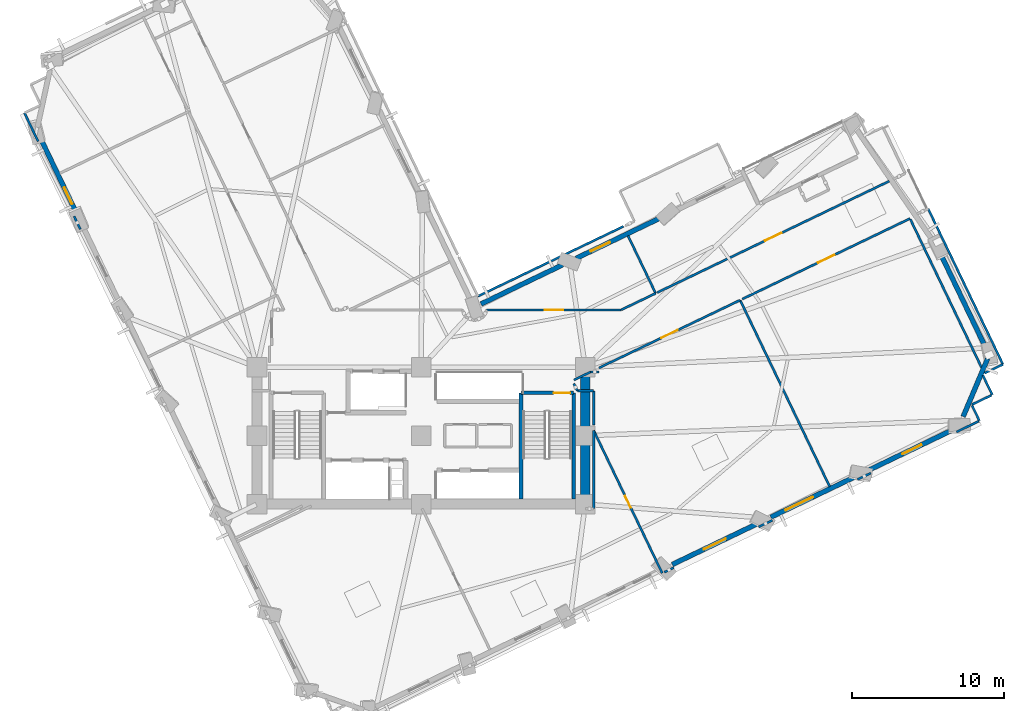
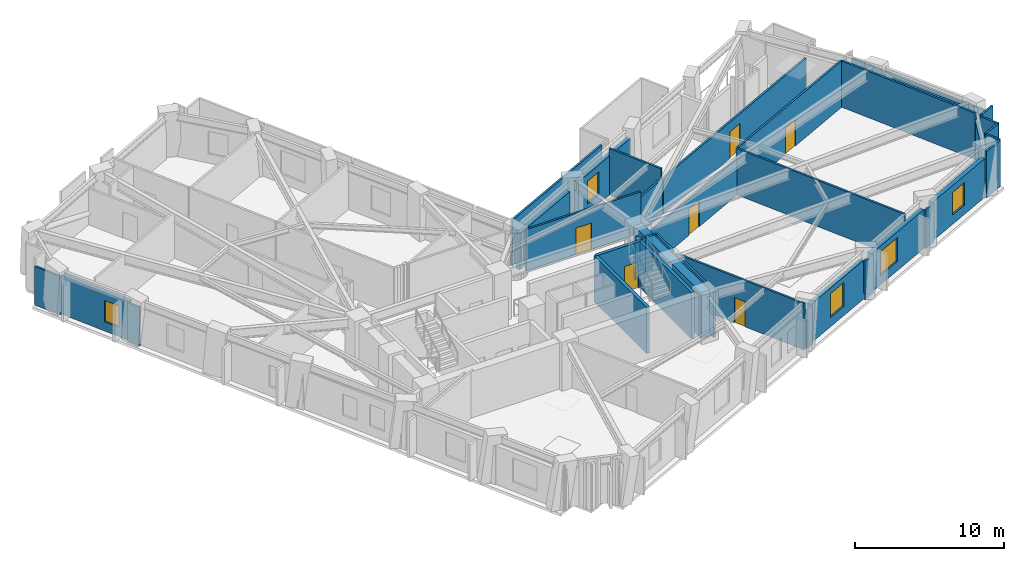
# One storey, part 9 of 16: 39 walls, 6 doors, 5 windows, 11 openings.
"""IFC4 building model written with IfcOpenShell, lengths in metres."""

from ifc_helpers import new_model, si_unit, direction, frame, frame_2d, origin, place, context, subcontext, project, spatial, rectangle, extrude, material, layer, layer_set, type_object, element, fill, save


model = new_model("IFC4")

# Units and contexts
model_context = context("Model", 3, precision=1e-05, world=origin(), true_north=direction((0.0, 1.0)))
body_context = subcontext(model_context, "Body", "Model", "MODEL_VIEW")
ifc_project = project(units=[si_unit("LENGTHUNIT", "METRE"), si_unit("AREAUNIT", "SQUARE_METRE"), si_unit("VOLUMEUNIT", "CUBIC_METRE"), si_unit("PLANEANGLEUNIT", "RADIAN"), si_unit("MASSUNIT", "GRAM", prefix="KILO")], contexts=[model_context])

# Site, building, storey
site_placement = place(None, origin())
site = spatial("IfcSite", under=ifc_project, at=site_placement, CompositionType="ELEMENT")
building_placement = place(site_placement, origin())
building = spatial("IfcBuilding", under=site, at=building_placement, Name="Gaonmaruhae Medical Tower", CompositionType="ELEMENT")
storey_placement = place(building_placement, frame((0.0, 0.0, 132.39990234375)))
storey = spatial("IfcBuildingStorey", under=building, at=storey_placement, Name="L31", CompositionType="ELEMENT", Elevation=132.39990234375)

# Wall
ifc_material_1 = material(Name="Concrete C60/75", Category="concrete")
ifc_layer_1 = layer(ifc_material_1, 0.64990234375)
ifc_layer_set_1 = layer_set([ifc_layer_1], Name="Concrete C60/75")
wall_type_1 = type_object("IfcWallType", Name="CW-650 Zone 2 Core Shear Wall", PredefinedType="SHEAR", material=ifc_layer_set_1)
wall_1_placement = place(storey_placement, frame((35.60009765625, 7.800048828125, 0.0), z_axis=(0.0, 0.0, 1.0), x_axis=(0.0, 1.0, 0.0)))
element("IfcWall", 1, at=wall_1_placement, inside=storey, type_object=wall_type_1, Name="L31 Core Shear Wall CSW-E1", PredefinedType="SHEAR", context=body_context, shape_type="SweptSolid", body=[
    extrude(rectangle(XDim=9.0, YDim=0.64990234375, at=frame_2d((4.5, 0.0))), origin(), (0.0, 0.0, 1.0), 3.780029296875),
])

# Wall, opening, window
ifc_material_2 = material(Name="Precast concrete C45/55", Category="concrete")
ifc_layer_2 = layer(ifc_material_2, 0.320068359375)
ifc_layer_set_2 = layer_set([ifc_layer_2], Name="Precast concrete C45/55")
wall_type_2 = type_object("IfcWallType", Name="EW-320 Lower Precast Masonry-Frame Facade Wall", PredefinedType="SOLIDWALL", material=ifc_layer_set_2)
wall_2_placement = place(storey_placement, frame((46.917724609375, 6.5126953125, 0.0), z_axis=(0.0, 0.0, 1.0), x_axis=(-0.901461687347, -0.432858898771, 0.0)))
wall_2 = element("IfcWall", 2, at=wall_2_placement, inside=storey, type_object=wall_type_2, Name="L31 Precast Masonry-Frame Wall S04-S05", PredefinedType="SOLIDWALL", context=body_context, shape_type="SweptSolid", body=[
    extrude(rectangle(XDim=6.208740234375, YDim=0.320068359375, at=frame_2d((3.1044921875, 0.0))), origin(), (0.0, 0.0, 1.0), 3.1650390625),
])
opening_1_placement = place(wall_2_placement, frame((2.3046875, 0.0, 0.75)))
opening_1 = element("IfcOpeningElement", 3, at=opening_1_placement, cuts=wall_2, Name="Opening WN-01", PredefinedType="OPENING", context=body_context, shape_type="SweptSolid", body=[
    extrude(rectangle(XDim=1.60009765625, YDim=1.949951171875, at=frame_2d((0.800048828125, 0.97509765625))), frame((0.0, 0.169921875, 0.0), z_axis=(0.0, -1.0, 0.0), x_axis=(1.0, 0.0, 0.0)), (0.0, 0.0, 1.0), 0.340087890625),
])
ifc_material_3 = material(Name="Anodised aluminium and Low-E double glazing", Category="aluminium")
window_type_1 = type_object("IfcWindowType", Name="WN-01 Ward Punched Acoustic Window 1600x1950", PartitioningType="SINGLE_PANEL", PredefinedType="WINDOW", material=ifc_material_3)
window_1_placement = place(opening_1_placement, origin())
window_1 = element("IfcWindow", 4, at=window_1_placement, inside=storey, type_object=window_type_1, Name="L31 Modular Facade Window S04", OverallHeight=1.949951171875, OverallWidth=1.60009765625, PartitioningType="SINGLE_PANEL", PredefinedType="WINDOW", context=body_context, shape_type="SweptSolid", body=[
    extrude(rectangle(XDim=1.60009765625, YDim=1.949951171875, at=frame_2d((0.800048828125, 0.97509765625))), frame((0.0, 0.030029296875, 0.0), z_axis=(0.0, -1.0, 0.0), x_axis=(1.0, 0.0, 0.0)), (0.0, 0.0, 1.0), 0.06005859375),
])
fill(opening_1, window_1)

wall_3_placement = place(storey_placement, frame((53.415283203125, 9.6328125, 0.0), z_axis=(0.0, 0.0, 1.0), x_axis=(-0.901458716823, -0.43286508506, 0.0)))
wall_3 = element("IfcWall", 5, at=wall_3_placement, inside=storey, type_object=wall_type_2, Name="L31 Precast Masonry-Frame Wall S05-S06", PredefinedType="SOLIDWALL", context=body_context, shape_type="SweptSolid", body=[
    extrude(rectangle(XDim=6.21826171875, YDim=0.320068359375, at=frame_2d((3.109130859375, 0.0))), origin(), (0.0, 0.0, 1.0), 3.1650390625),
])
opening_2_placement = place(wall_3_placement, frame((3.142333984375, 0.0, 0.75)))
opening_2 = element("IfcOpeningElement", 6, at=opening_2_placement, cuts=wall_3, Name="Opening WN-02", PredefinedType="OPENING", context=body_context, shape_type="SweptSolid", body=[
    extrude(rectangle(XDim=2.0, YDim=1.949951171875, at=frame_2d((1.0, 0.97509765625))), frame((0.0, 0.169921875, 0.0), z_axis=(0.0, -1.0, 0.0), x_axis=(1.0, 0.0, 0.0)), (0.0, 0.0, 1.0), 0.340087890625),
])
window_type_2 = type_object("IfcWindowType", Name="WN-02 Double-Bed Ward Punched Window 2000x1950", PartitioningType="SINGLE_PANEL", PredefinedType="WINDOW", material=ifc_material_3)
window_2_placement = place(opening_2_placement, origin())
window_2 = element("IfcWindow", 7, at=window_2_placement, inside=storey, type_object=window_type_2, Name="L31 Modular Facade Window S05", OverallHeight=1.949951171875, OverallWidth=2.0, PartitioningType="SINGLE_PANEL", PredefinedType="WINDOW", context=body_context, shape_type="SweptSolid", body=[
    extrude(rectangle(XDim=2.0, YDim=1.949951171875, at=frame_2d((1.0, 0.97509765625))), frame((0.0, 0.030029296875, 0.0), z_axis=(0.0, -1.0, 0.0), x_axis=(1.0, 0.0, 0.0)), (0.0, 0.0, 1.0), 0.06005859375),
])
fill(opening_2, window_2)

wall_4_placement = place(storey_placement, frame((59.919677734375, 12.756103515625, 0.0), z_axis=(0.0, 0.0, 1.0), x_axis=(-0.901454692094, -0.432873466619, 0.0)))
wall_4 = element("IfcWall", 8, at=wall_4_placement, inside=storey, type_object=wall_type_2, Name="L31 Precast Masonry-Frame Wall S06-S07", PredefinedType="SOLIDWALL", context=body_context, shape_type="SweptSolid", body=[
    extrude(rectangle(XDim=6.242431640625, YDim=0.320068359375, at=frame_2d((3.12109375, 0.0))), origin(), (0.0, 0.0, 1.0), 3.1650390625),
])
opening_3_placement = place(wall_4_placement, frame((2.425048828125, 0.0, 0.75)))
opening_3 = element("IfcOpeningElement", 9, at=opening_3_placement, cuts=wall_4, Name="Opening WN-03", PredefinedType="OPENING", context=body_context, shape_type="SweptSolid", body=[
    extrude(rectangle(XDim=1.39990234375, YDim=1.85009765625, at=frame_2d((0.699951171875, 0.925048828125))), frame((0.0, 0.169921875, 0.0), z_axis=(0.0, -1.0, 0.0), x_axis=(1.0, 0.0, 0.0)), (0.0, 0.0, 1.0), 0.340087890625),
])
window_type_3 = type_object("IfcWindowType", Name="WN-03 Isolation Ward Punched Window 1400x1850", PartitioningType="SINGLE_PANEL", PredefinedType="WINDOW", material=ifc_material_3)
window_3_placement = place(opening_3_placement, origin())
window_3 = element("IfcWindow", 10, at=window_3_placement, inside=storey, type_object=window_type_3, Name="L31 Modular Facade Window S06", OverallHeight=1.85009765625, OverallWidth=1.39990234375, PartitioningType="SINGLE_PANEL", PredefinedType="WINDOW", context=body_context, shape_type="SweptSolid", body=[
    extrude(rectangle(XDim=1.39990234375, YDim=1.85009765625, at=frame_2d((0.699951171875, 0.925048828125))), frame((0.0, 0.030029296875, 0.0), z_axis=(0.0, -1.0, 0.0), x_axis=(1.0, 0.0, 0.0)), (0.0, 0.0, 1.0), 0.06005859375),
])
fill(opening_3, window_3)

# Walls
wall_5_placement = place(storey_placement, frame((62.078857421875, 17.378662109375, 0.0), z_axis=(0.0, 0.0, 1.0), x_axis=(-0.38914420919, -0.921176847545, 0.0)))
element("IfcWall", 11, at=wall_5_placement, inside=storey, type_object=wall_type_2, Name="L31 Precast Masonry-Frame Wall S07-E01", PredefinedType="SOLIDWALL", context=body_context, shape_type="SweptSolid", body=[
    extrude(rectangle(XDim=4.14501953125, YDim=0.320068359375, at=frame_2d((2.072509765625, 0.0))), origin(), (0.0, 0.0, 1.0), 3.1650390625),
])
wall_6_placement = place(storey_placement, frame((58.930908203125, 24.37353515625, 0.0), z_axis=(0.0, 0.0, 1.0), x_axis=(0.432850582389, -0.901465680614, 0.0)))
element("IfcWall", 12, at=wall_6_placement, inside=storey, type_object=wall_type_2, Name="L31 Precast Masonry-Frame Wall E01-E02", PredefinedType="SOLIDWALL", context=body_context, shape_type="SweptSolid", body=[
    extrude(rectangle(XDim=6.840087890625, YDim=0.320068359375, at=frame_2d((3.419921875, 0.0))), origin(), (0.0, 0.0, 1.0), 3.1650390625),
])

# Wall, opening, window
wall_7_placement = place(storey_placement, frame((35.002197265625, 23.975830078125, 0.0), z_axis=(0.0, 0.0, 1.0), x_axis=(0.901466619475, 0.432848627089, 0.0)))
wall_7 = element("IfcWall", 13, at=wall_7_placement, inside=storey, type_object=wall_type_2, Name="L31 Precast Masonry-Frame Wall EN02-EN03", PredefinedType="SOLIDWALL", context=body_context, shape_type="SweptSolid", body=[
    extrude(rectangle(XDim=6.211181640625, YDim=0.320068359375, at=frame_2d((3.10546875, 0.0))), origin(), (0.0, 0.0, 1.0), 3.1650390625),
])
opening_4_placement = place(wall_7_placement, frame((1.053466796875, 0.0, 0.75)))
opening_4 = element("IfcOpeningElement", 14, at=opening_4_placement, cuts=wall_7, Name="Opening WN-03", PredefinedType="OPENING", context=body_context, shape_type="SweptSolid", body=[
    extrude(rectangle(XDim=1.39990234375, YDim=1.85009765625, at=frame_2d((0.699951171875, 0.925048828125))), frame((0.0, 0.169921875, 0.0), z_axis=(0.0, -1.0, 0.0), x_axis=(1.0, 0.0, 0.0)), (0.0, 0.0, 1.0), 0.340087890625),
])
window_4_placement = place(opening_4_placement, origin())
window_4 = element("IfcWindow", 15, at=window_4_placement, inside=storey, type_object=window_type_3, Name="L31 Modular Facade Window EN02", OverallHeight=1.85009765625, OverallWidth=1.39990234375, PartitioningType="SINGLE_PANEL", PredefinedType="WINDOW", context=body_context, shape_type="SweptSolid", body=[
    extrude(rectangle(XDim=1.39990234375, YDim=1.85009765625, at=frame_2d((0.699951171875, 0.925048828125))), frame((0.0, 0.030029296875, 0.0), z_axis=(0.0, -1.0, 0.0), x_axis=(1.0, 0.0, 0.0)), (0.0, 0.0, 1.0), 0.06005859375),
])
fill(opening_4, window_4)

# Wall
wall_8_placement = place(storey_placement, frame((28.735107421875, 20.96630859375, 0.0), z_axis=(0.0, 0.0, 1.0), x_axis=(0.901457206076, 0.432868231237, 0.0)))
element("IfcWall", 16, at=wall_8_placement, inside=storey, type_object=wall_type_2, Name="L31 Precast Masonry-Frame Wall EN03-KN01", PredefinedType="SOLIDWALL", context=body_context, shape_type="SweptSolid", body=[
    extrude(rectangle(XDim=5.9599609375, YDim=0.320068359375, at=frame_2d((2.97998046875, 0.0))), origin(), (0.0, 0.0, 1.0), 2.965087890625),
])

# Wall, opening, window
wall_9_placement = place(storey_placement, frame((2.16650390625, 26.8466796875, 0.0), z_axis=(0.0, 0.0, 1.0), x_axis=(-0.432891082479, 0.901446232845, 0.0)))
wall_9 = element("IfcWall", 17, at=wall_9_placement, inside=storey, type_object=wall_type_2, Name="L31 Precast Masonry-Frame Wall W01-W02", PredefinedType="SOLIDWALL", context=body_context, shape_type="SweptSolid", body=[
    extrude(rectangle(XDim=5.455810546875, YDim=0.320068359375, at=frame_2d((2.72802734375, 0.0))), origin(), (0.0, 0.0, 1.0), 3.1650390625),
])
opening_5_placement = place(wall_9_placement, frame((0.77294921875, 0.0, 0.75)))
opening_5 = element("IfcOpeningElement", 18, at=opening_5_placement, cuts=wall_9, Name="Opening WN-05", PredefinedType="OPENING", context=body_context, shape_type="SweptSolid", body=[
    extrude(rectangle(XDim=1.199951171875, YDim=1.75, at=frame_2d((0.60009765625, 0.875))), frame((0.0, 0.169921875, 0.0), z_axis=(0.0, -1.0, 0.0), x_axis=(1.0, 0.0, 0.0)), (0.0, 0.0, 1.0), 0.340087890625),
])
window_type_4 = type_object("IfcWindowType", Name="WN-05 Support & Staff Punched Window 1200x1750", PartitioningType="SINGLE_PANEL", PredefinedType="WINDOW", material=ifc_material_3)
window_5_placement = place(opening_5_placement, origin())
window_5 = element("IfcWindow", 19, at=window_5_placement, inside=storey, type_object=window_type_4, Name="L31 Modular Facade Window W01", OverallHeight=1.75, OverallWidth=1.199951171875, PartitioningType="SINGLE_PANEL", PredefinedType="WINDOW", context=body_context, shape_type="SweptSolid", body=[
    extrude(rectangle(XDim=1.199951171875, YDim=1.75, at=frame_2d((0.60009765625, 0.875))), frame((0.0, 0.030029296875, 0.0), z_axis=(0.0, -1.0, 0.0), x_axis=(1.0, 0.0, 0.0)), (0.0, 0.0, 1.0), 0.06005859375),
])
fill(opening_5, window_5)

# Wall, opening, door
ifc_material_4 = material(Name="Gypsum board partition", Category="gypsum")
ifc_layer_3 = layer(ifc_material_4, 0.14990234375)
ifc_layer_set_3 = layer_set([ifc_layer_3], Name="Gypsum board partition")
wall_type_3 = type_object("IfcWallType", Name="PW-150 Rated Clinical Corridor Partition", PredefinedType="PARTITIONING", material=ifc_layer_set_3)
wall_10_placement = place(storey_placement, frame((36.14990234375, 12.652099609375, 0.0), z_axis=(0.0, 0.0, 1.0), x_axis=(0.432890931343, -0.901446305423, 0.0)))
wall_10 = element("IfcWall", 20, at=wall_10_placement, inside=storey, type_object=wall_type_3, Name="L31 Interior Partition L31-SUP02-18", PredefinedType="PARTITIONING", context=body_context, shape_type="SweptSolid", body=[
    extrude(rectangle(XDim=10.42578125, YDim=0.14990234375, at=frame_2d((5.212890625, 0.0))), origin(), (0.0, 0.0, 1.0), 3.780029296875),
])
opening_6_placement = place(wall_10_placement, frame((4.78271484375, 0.0, 0.0)))
opening_6 = element("IfcOpeningElement", 21, at=opening_6_placement, cuts=wall_10, Name="Opening AD-01", PredefinedType="OPENING", context=body_context, shape_type="SweptSolid", body=[
    extrude(rectangle(XDim=0.860107421875, YDim=2.06005859375, at=frame_2d((0.43017578125, 1.030029296875))), frame((0.0, 0.0849609375, 0.0), z_axis=(0.0, -1.0, 0.0), x_axis=(1.0, 0.0, 0.0)), (0.0, 0.0, 1.0), 0.169921875),
])
ifc_material_5 = material(Name="Powder-coated steel access door", Category="steel")
door_type_1 = type_object("IfcDoorType", Name="AD-01 Riser & Closet Access Fire Door 860x2060", OperationType="NOTDEFINED", PredefinedType="DOOR", material=ifc_material_5)
door_1_placement = place(opening_6_placement, origin())
door_1 = element("IfcDoor", 22, at=door_1_placement, inside=storey, type_object=door_type_1, Name="L31 Clinical Biomedical Charting Office Sliding Door", OperationType="SLIDING_TO_LEFT", OverallHeight=2.06005859375, OverallWidth=0.860107421875, PredefinedType="DOOR", context=body_context, shape_type="SweptSolid", body=[
    extrude(rectangle(XDim=0.860107421875, YDim=2.06005859375, at=frame_2d((0.43017578125, 1.030029296875))), frame((0.0, 0.02490234375, 0.0), z_axis=(0.0, -1.0, 0.0), x_axis=(1.0, 0.0, 0.0)), (0.0, 0.0, 1.0), 0.050048828125),
])
fill(opening_6, door_1)

# Walls
wall_11_placement = place(storey_placement, frame((36.14990234375, 7.5, 0.0), z_axis=(0.0, 0.0, 1.0), x_axis=(0.0, 1.0, 0.0)))
element("IfcWall", 23, at=wall_11_placement, inside=storey, type_object=wall_type_3, Name="L31 Interior Partition L31-SUP02-21", PredefinedType="PARTITIONING", context=body_context, shape_type="SweptSolid", body=[
    extrude(rectangle(XDim=5.152099609375, YDim=0.14990234375, at=frame_2d((2.576171875, 0.0))), origin(), (0.0, 0.0, 1.0), 3.780029296875),
])
wall_12_placement = place(storey_placement, frame((35.074951171875, 15.260009765625, 0.0), z_axis=(0.0, 0.0, 1.0), x_axis=(-0.433052046358, 0.901368917339, 0.0)))
element("IfcWall", 24, at=wall_12_placement, inside=storey, type_object=wall_type_3, Name="L31 Interior Partition L31-SUP03-22", PredefinedType="PARTITIONING", context=body_context, shape_type="SweptSolid", body=[
    extrude(rectangle(XDim=0.519287109375, YDim=0.14990234375, at=frame_2d((0.259765625, 0.0))), origin(), (0.0, 0.0, 1.0), 3.780029296875),
])
wall_13_placement = place(storey_placement, frame((34.85009765625, 15.970947265625, 0.0), z_axis=(0.0, 0.0, 1.0), x_axis=(0.901463825879, 0.432854445087, 0.0)))
element("IfcWall", 25, at=wall_13_placement, inside=storey, type_object=wall_type_3, Name="L31 Interior Partition L31-SUP03-23", PredefinedType="PARTITIONING", context=body_context, shape_type="SweptSolid", body=[
    extrude(rectangle(XDim=1.22216796875, YDim=0.14990234375, at=frame_2d((0.611083984375, 0.0))), origin(), (0.0, 0.0, 1.0), 2.945068359375),
])
wall_14_placement = place(storey_placement, frame((35.951904296875, 16.5, 0.0), z_axis=(0.0, 0.0, 1.0), x_axis=(1.0, 0.0, 0.0)))
element("IfcWall", 26, at=wall_14_placement, inside=storey, type_object=wall_type_3, Name="L31 Interior Partition L31-SUP03-24", PredefinedType="PARTITIONING", context=body_context, shape_type="SweptSolid", body=[
    extrude(rectangle(XDim=0.548095703125, YDim=0.14990234375, at=frame_2d((0.27392578125, 0.0))), origin(), (0.0, 0.0, 1.0), 2.965087890625),
])

# Wall, opening, door
wall_15_placement = place(storey_placement, frame((36.5, 16.762939453125, 0.0), z_axis=(0.0, 0.0, 1.0), x_axis=(0.901430980475, 0.432922842363, 0.0)))
wall_15 = element("IfcWall", 27, at=wall_15_placement, inside=storey, type_object=wall_type_3, Name="L31 Interior Partition L31-SUP03-25", PredefinedType="PARTITIONING", context=body_context, shape_type="SweptSolid", body=[
    extrude(rectangle(XDim=10.3046875, YDim=0.14990234375, at=frame_2d((5.15234375, 0.0))), origin(), (0.0, 0.0, 1.0), 2.965087890625),
])
opening_7_placement = place(wall_15_placement, frame((4.55224609375, 0.0, 0.0)))
opening_7 = element("IfcOpeningElement", 28, at=opening_7_placement, cuts=wall_15, Name="Opening CD-02", PredefinedType="OPENING", context=body_context, shape_type="SweptSolid", body=[
    extrude(rectangle(XDim=1.199951171875, YDim=2.14990234375, at=frame_2d((0.60009765625, 1.074951171875))), frame((0.0, 0.0849609375, 0.0), z_axis=(0.0, -1.0, 0.0), x_axis=(1.0, 0.0, 0.0)), (0.0, 0.0, 1.0), 0.169921875),
])
ifc_material_6 = material(Name="Antimicrobial laminate timber fire door", Category="wood")
door_type_2 = type_object("IfcDoorType", Name="CD-02 Clinical Treatment & Procedure Door 1200x2150", OperationType="NOTDEFINED", PredefinedType="DOOR", material=ifc_material_6)
door_2_placement = place(opening_7_placement, origin())
door_2 = element("IfcDoor", 29, at=door_2_placement, inside=storey, type_object=door_type_2, Name="L31 Clinical Biomedical Charting Office Door", OperationType="SINGLE_SWING_RIGHT", OverallHeight=2.14990234375, OverallWidth=1.199951171875, PredefinedType="DOOR", context=body_context, shape_type="SweptSolid", body=[
    extrude(rectangle(XDim=1.199951171875, YDim=2.14990234375, at=frame_2d((0.60009765625, 1.074951171875))), frame((0.0, 0.02490234375, 0.0), z_axis=(0.0, -1.0, 0.0), x_axis=(1.0, 0.0, 0.0)), (0.0, 0.0, 1.0), 0.050048828125),
])
fill(opening_7, door_2)

# Walls
wall_16_placement = place(storey_placement, frame((45.7890625, 21.22412109375, 0.0), z_axis=(0.0, 0.0, 1.0), x_axis=(0.43290477925, -0.901439655275, 0.0)))
element("IfcWall", 30, at=wall_16_placement, inside=storey, type_object=wall_type_3, Name="L31 Interior Partition L31-SUP03-26", PredefinedType="PARTITIONING", context=body_context, shape_type="SweptSolid", body=[
    extrude(rectangle(XDim=13.614990234375, YDim=0.14990234375, at=frame_2d((6.8076171875, 0.0))), origin(), (0.0, 0.0, 1.0), 3.780029296875),
])
wall_17_placement = place(storey_placement, frame((47.908935546875, 6.73388671875, 0.0), z_axis=(0.0, 0.0, 1.0), x_axis=(-0.901180159513, -0.433444714006, 0.0)))
element("IfcWall", 31, at=wall_17_placement, inside=storey, type_object=wall_type_3, Name="L31 Interior Partition L31-SUP03-27", PredefinedType="PARTITIONING", context=body_context, shape_type="SweptSolid", body=[
    extrude(rectangle(XDim=0.98974609375, YDim=0.14990234375, at=frame_2d((0.494873046875, 0.0))), origin(), (0.0, 0.0, 1.0), 3.1650390625),
])
wall_18_placement = place(storey_placement, frame((41.419921875, 3.617919921875, 0.0), z_axis=(0.0, 0.0, 1.0), x_axis=(-0.901141896679, -0.433524257741, 0.0)))
element("IfcWall", 32, at=wall_18_placement, inside=storey, type_object=wall_type_3, Name="L31 Interior Partition L31-SUP03-28", PredefinedType="PARTITIONING", context=body_context, shape_type="SweptSolid", body=[
    extrude(rectangle(XDim=0.68017578125, YDim=0.14990234375, at=frame_2d((0.340087890625, 0.0))), origin(), (0.0, 0.0, 1.0), 3.1650390625),
])
wall_19_placement = place(storey_placement, frame((36.14990234375, 13.02099609375, 0.0), z_axis=(0.0, 0.0, 1.0), x_axis=(0.0, 1.0, 0.0)))
element("IfcWall", 33, at=wall_19_placement, inside=storey, type_object=wall_type_3, Name="L31 Interior Partition L31-SUP03-29", PredefinedType="PARTITIONING", context=body_context, shape_type="SweptSolid", body=[
    extrude(rectangle(XDim=2.239013671875, YDim=0.14990234375, at=frame_2d((1.11962890625, 0.0))), origin(), (0.0, 0.0, 1.0), 3.780029296875),
])
wall_20_placement = place(storey_placement, frame((36.14990234375, 15.260009765625, 0.0), z_axis=(0.0, 0.0, 1.0), x_axis=(-1.0, 0.0, 0.0)))
element("IfcWall", 34, at=wall_20_placement, inside=storey, type_object=wall_type_3, Name="L31 Interior Partition L31-SUP03-30", PredefinedType="PARTITIONING", context=body_context, shape_type="SweptSolid", body=[
    extrude(rectangle(XDim=1.074951171875, YDim=0.14990234375, at=frame_2d((0.53759765625, 0.0))), origin(), (0.0, 0.0, 1.0), 3.780029296875),
])

# Wall, opening, door
wall_21_placement = place(storey_placement, frame((45.93310546875, 21.29296875, 0.0), z_axis=(0.0, 0.0, 1.0), x_axis=(0.901434334473, 0.432915858607, 0.0)))
wall_21 = element("IfcWall", 35, at=wall_21_placement, inside=storey, type_object=wall_type_3, Name="L31 Interior Partition L31-SUP04-31", PredefinedType="PARTITIONING", context=body_context, shape_type="SweptSolid", body=[
    extrude(rectangle(XDim=12.240478515625, YDim=0.14990234375, at=frame_2d((6.1201171875, 0.0))), origin(), (0.0, 0.0, 1.0), 3.780029296875),
])
opening_8_placement = place(wall_21_placement, frame((5.520263671875, 0.0, 0.0)))
opening_8 = element("IfcOpeningElement", 36, at=opening_8_placement, cuts=wall_21, Name="Opening CD-02", PredefinedType="OPENING", context=body_context, shape_type="SweptSolid", body=[
    extrude(rectangle(XDim=1.199951171875, YDim=2.14990234375, at=frame_2d((0.60009765625, 1.074951171875))), frame((0.0, 0.0849609375, 0.0), z_axis=(0.0, -1.0, 0.0), x_axis=(1.0, 0.0, 0.0)), (0.0, 0.0, 1.0), 0.169921875),
])
door_3_placement = place(opening_8_placement, origin())
door_3 = element("IfcDoor", 37, at=door_3_placement, inside=storey, type_object=door_type_2, Name="L31 Clinical Biomedical Charting Office Door", OperationType="SINGLE_SWING_LEFT", OverallHeight=2.14990234375, OverallWidth=1.199951171875, PredefinedType="DOOR", context=body_context, shape_type="SweptSolid", body=[
    extrude(rectangle(XDim=1.199951171875, YDim=2.14990234375, at=frame_2d((0.60009765625, 1.074951171875))), frame((0.0, 0.02490234375, 0.0), z_axis=(0.0, -1.0, 0.0), x_axis=(1.0, 0.0, 0.0)), (0.0, 0.0, 1.0), 0.050048828125),
])
fill(opening_8, door_3)

# Walls
wall_22_placement = place(storey_placement, frame((56.989013671875, 26.547119140625, 0.0), z_axis=(0.0, 0.0, 1.0), x_axis=(0.432826288484, -0.901477345249, 0.0)))
element("IfcWall", 38, at=wall_22_placement, inside=storey, type_object=wall_type_3, Name="L31 Interior Partition L31-SUP04-32", PredefinedType="PARTITIONING", context=body_context, shape_type="SweptSolid", body=[
    extrude(rectangle(XDim=10.835693359375, YDim=0.14990234375, at=frame_2d((5.41796875, 0.0))), origin(), (0.0, 0.0, 1.0), 3.780029296875),
])
wall_23_placement = place(storey_placement, frame((61.761962890625, 16.281982421875, 0.0), z_axis=(0.0, 0.0, 1.0), x_axis=(0.433241147815, -0.901278041361, 0.0)))
element("IfcWall", 39, at=wall_23_placement, inside=storey, type_object=wall_type_3, Name="L31 Interior Partition L31-SUP04-33", PredefinedType="PARTITIONING", context=body_context, shape_type="SweptSolid", body=[
    extrude(rectangle(XDim=1.431396484375, YDim=0.14990234375, at=frame_2d((0.7158203125, 0.0))), origin(), (0.0, 0.0, 1.0), 3.780029296875),
])
wall_24_placement = place(storey_placement, frame((62.3369140625, 14.969970703125, 0.0), z_axis=(0.0, 0.0, 1.0), x_axis=(-0.901617655836, -0.432533932409, 0.0)))
element("IfcWall", 40, at=wall_24_placement, inside=storey, type_object=wall_type_3, Name="L31 Interior Partition L31-SUP04-34", PredefinedType="PARTITIONING", context=body_context, shape_type="SweptSolid", body=[
    extrude(rectangle(XDim=1.449462890625, YDim=0.14990234375, at=frame_2d((0.724609375, 0.0))), origin(), (0.0, 0.0, 1.0), 3.780029296875),
])
wall_25_placement = place(storey_placement, frame((61.052001953125, 14.298095703125, 0.0), z_axis=(0.0, 0.0, 1.0), x_axis=(0.431937120404, -0.901903722144, 0.0)))
element("IfcWall", 41, at=wall_25_placement, inside=storey, type_object=wall_type_3, Name="L31 Interior Partition L31-SUP04-35", PredefinedType="PARTITIONING", context=body_context, shape_type="SweptSolid", body=[
    extrude(rectangle(XDim=1.1298828125, YDim=0.14990234375, at=frame_2d((0.56494140625, 0.0))), origin(), (0.0, 0.0, 1.0), 3.780029296875),
])
wall_26_placement = place(storey_placement, frame((61.4951171875, 13.257080078125, 0.0), z_axis=(0.0, 0.0, 1.0), x_axis=(-0.901644033321, -0.4324789442, 0.0)))
element("IfcWall", 42, at=wall_26_placement, inside=storey, type_object=wall_type_3, Name="L31 Interior Partition L31-SUP04-36", PredefinedType="PARTITIONING", context=body_context, shape_type="SweptSolid", body=[
    extrude(rectangle(XDim=1.63720703125, YDim=0.14990234375, at=frame_2d((0.818603515625, 0.0))), origin(), (0.0, 0.0, 1.0), 3.780029296875),
])
wall_27_placement = place(storey_placement, frame((54.39208984375, 9.846923828125, 0.0), z_axis=(0.0, 0.0, 1.0), x_axis=(-0.901585698541, -0.432600541131, 0.0)))
element("IfcWall", 43, at=wall_27_placement, inside=storey, type_object=wall_type_3, Name="L31 Interior Partition L31-SUP04-37", PredefinedType="PARTITIONING", context=body_context, shape_type="SweptSolid", body=[
    extrude(rectangle(XDim=0.972900390625, YDim=0.14990234375, at=frame_2d((0.486328125, 0.0))), origin(), (0.0, 0.0, 1.0), 3.1650390625),
])
wall_28_placement = place(storey_placement, frame((2.375, 25.881103515625, 0.0), z_axis=(0.0, 0.0, 1.0), x_axis=(-0.43302845914, 0.90138024916, 0.0)))
element("IfcWall", 44, at=wall_28_placement, inside=storey, type_object=wall_type_3, Name="L31 Interior Partition L31-WOF06-51", PredefinedType="PARTITIONING", context=body_context, shape_type="SweptSolid", body=[
    extrude(rectangle(XDim=0.960693359375, YDim=0.14990234375, at=frame_2d((0.48046875, 0.0))), origin(), (0.0, 0.0, 1.0), 3.1650390625),
])
wall_29_placement = place(storey_placement, frame((-0.402099609375, 31.6650390625, 0.0), z_axis=(0.0, 0.0, 1.0), x_axis=(-0.432833442947, 0.901473910142, 0.0)))
element("IfcWall", 45, at=wall_29_placement, inside=storey, type_object=wall_type_3, Name="L31 Interior Partition L31-WOF07-56", PredefinedType="PARTITIONING", context=body_context, shape_type="SweptSolid", body=[
    extrude(rectangle(XDim=2.09326171875, YDim=0.14990234375, at=frame_2d((1.046630859375, 0.0))), origin(), (0.0, 0.0, 1.0), 3.1650390625),
])
wall_30_placement = place(storey_placement, frame((28.5380859375, 21.48193359375, 0.0), z_axis=(0.0, 0.0, 1.0), x_axis=(0.901477867435, 0.432825200889, 0.0)))
element("IfcWall", 46, at=wall_30_placement, inside=storey, type_object=wall_type_3, Name="L31 Interior Partition L31-IE01-66", PredefinedType="PARTITIONING", context=body_context, shape_type="SweptSolid", body=[
    extrude(rectangle(XDim=10.62353515625, YDim=0.14990234375, at=frame_2d((5.311767578125, 0.0))), origin(), (0.0, 0.0, 1.0), 3.780029296875),
])
wall_31_placement = place(storey_placement, frame((38.410888671875, 25.462890625, 0.0), z_axis=(0.0, 0.0, 1.0), x_axis=(0.432827326229, -0.901476846996, 0.0)))
element("IfcWall", 47, at=wall_31_placement, inside=storey, type_object=wall_type_3, Name="L31 Interior Partition L31-IE01-67", PredefinedType="PARTITIONING", context=body_context, shape_type="SweptSolid", body=[
    extrude(rectangle(XDim=4.205078125, YDim=0.14990234375, at=frame_2d((2.1025390625, 0.0))), origin(), (0.0, 0.0, 1.0), 3.780029296875),
])
wall_32_placement = place(storey_placement, frame((40.23095703125, 21.672119140625, 0.0), z_axis=(0.0, 0.0, 1.0), x_axis=(-0.901436954351, -0.432910403351, 0.0)))
element("IfcWall", 48, at=wall_32_placement, inside=storey, type_object=wall_type_3, Name="L31 Interior Partition L31-IE01-68", PredefinedType="PARTITIONING", context=body_context, shape_type="SweptSolid", body=[
    extrude(rectangle(XDim=2.5224609375, YDim=0.14990234375, at=frame_2d((1.26123046875, 0.0))), origin(), (0.0, 0.0, 1.0), 2.945068359375),
])

# Wall, opening, door
wall_33_placement = place(storey_placement, frame((37.95703125, 20.580078125, 0.0), z_axis=(0.0, 0.0, 1.0), x_axis=(-1.0, 0.0, 0.0)))
wall_33 = element("IfcWall", 49, at=wall_33_placement, inside=storey, type_object=wall_type_3, Name="L31 Interior Partition L31-IE01-69", PredefinedType="PARTITIONING", context=body_context, shape_type="SweptSolid", body=[
    extrude(rectangle(XDim=8.843994140625, YDim=0.14990234375, at=frame_2d((4.421875, 0.0))), origin(), (0.0, 0.0, 1.0), 3.364990234375),
])
opening_9_placement = place(wall_33_placement, frame((3.822021484375, 0.0, 0.0)))
opening_9 = element("IfcOpeningElement", 50, at=opening_9_placement, cuts=wall_33, Name="Opening CD-02", PredefinedType="OPENING", context=body_context, shape_type="SweptSolid", body=[
    extrude(rectangle(XDim=1.199951171875, YDim=2.14990234375, at=frame_2d((0.60009765625, 1.074951171875))), frame((0.0, 0.0849609375, 0.0), z_axis=(0.0, -1.0, 0.0), x_axis=(1.0, 0.0, 0.0)), (0.0, 0.0, 1.0), 0.169921875),
])
door_4_placement = place(opening_9_placement, origin())
door_4 = element("IfcDoor", 51, at=door_4_placement, inside=storey, type_object=door_type_2, Name="L31 Central Clinical Nurse Station Door", OperationType="SINGLE_SWING_RIGHT", OverallHeight=2.14990234375, OverallWidth=1.199951171875, PredefinedType="DOOR", context=body_context, shape_type="SweptSolid", body=[
    extrude(rectangle(XDim=1.199951171875, YDim=2.14990234375, at=frame_2d((0.60009765625, 1.074951171875))), frame((0.0, 0.02490234375, 0.0), z_axis=(0.0, -1.0, 0.0), x_axis=(1.0, 0.0, 0.0)), (0.0, 0.0, 1.0), 0.050048828125),
])
fill(opening_9, door_4)

wall_34_placement = place(storey_placement, frame((55.610107421875, 29.05810546875, 0.0), z_axis=(0.0, 0.0, 1.0), x_axis=(-0.901422279178, -0.432940959718, 0.0)))
wall_34 = element("IfcWall", 52, at=wall_34_placement, inside=storey, type_object=wall_type_3, Name="L31 Interior Partition L31-IE02-81", PredefinedType="PARTITIONING", context=body_context, shape_type="SweptSolid", body=[
    extrude(rectangle(XDim=16.93994140625, YDim=0.14990234375, at=frame_2d((8.469970703125, 0.0))), origin(), (0.0, 0.0, 1.0), 2.945068359375),
])
opening_10_placement = place(wall_34_placement, frame((7.8701171875, 0.0, 0.0)))
opening_10 = element("IfcOpeningElement", 53, at=opening_10_placement, cuts=wall_34, Name="Opening CD-02", PredefinedType="OPENING", context=body_context, shape_type="SweptSolid", body=[
    extrude(rectangle(XDim=1.199951171875, YDim=2.14990234375, at=frame_2d((0.60009765625, 1.074951171875))), frame((0.0, 0.0849609375, 0.0), z_axis=(0.0, -1.0, 0.0), x_axis=(1.0, 0.0, 0.0)), (0.0, 0.0, 1.0), 0.169921875),
])
door_5_placement = place(opening_10_placement, origin())
door_5 = element("IfcDoor", 54, at=door_5_placement, inside=storey, type_object=door_type_2, Name="L31 Acute Treatment Examination Room Door", OperationType="SINGLE_SWING_LEFT", OverallHeight=2.14990234375, OverallWidth=1.199951171875, PredefinedType="DOOR", context=body_context, shape_type="SweptSolid", body=[
    extrude(rectangle(XDim=1.199951171875, YDim=2.14990234375, at=frame_2d((0.60009765625, 1.074951171875))), frame((0.0, 0.02490234375, 0.0), z_axis=(0.0, -1.0, 0.0), x_axis=(1.0, 0.0, 0.0)), (0.0, 0.0, 1.0), 0.050048828125),
])
fill(opening_10, door_5)

# Walls
wall_35_placement = place(storey_placement, frame((58.1630859375, 27.242919921875, 0.0), z_axis=(0.0, 0.0, 1.0), x_axis=(0.432898600904, -0.90144262232, 0.0)))
element("IfcWall", 55, at=wall_35_placement, inside=storey, type_object=wall_type_3, Name="L31 Interior Partition L31-RM02-103", PredefinedType="PARTITIONING", context=body_context, shape_type="SweptSolid", body=[
    extrude(rectangle(XDim=11.36962890625, YDim=0.14990234375, at=frame_2d((5.684814453125, 0.0))), origin(), (0.0, 0.0, 1.0), 3.1650390625),
])
wall_36_placement = place(storey_placement, frame((63.0849609375, 16.993896484375, 0.0), z_axis=(0.0, 0.0, 1.0), x_axis=(-0.901525900623, -0.432725144296, 0.0)))
element("IfcWall", 56, at=wall_36_placement, inside=storey, type_object=wall_type_3, Name="L31 Interior Partition L31-RM02-104", PredefinedType="PARTITIONING", context=body_context, shape_type="SweptSolid", body=[
    extrude(rectangle(XDim=1.33984375, YDim=0.14990234375, at=frame_2d((0.669921875, 0.0))), origin(), (0.0, 0.0, 1.0), 3.780029296875),
])

# Wall, opening, door
ifc_material_7 = material(Name="Concrete C50/60", Category="concrete")
ifc_layer_4 = layer(ifc_material_7, 0.239990234375)
ifc_layer_set_4 = layer_set([ifc_layer_4], Name="Concrete C50/60")
wall_type_4 = type_object("IfcWallType", Name="SW-240 Dogleg Stair Tight Shaft Wall", PredefinedType="SOLIDWALL", material=ifc_layer_set_4)
wall_37_placement = place(storey_placement, frame((31.3701171875, 15.1201171875, 0.0), z_axis=(0.0, 0.0, 1.0), x_axis=(1.0, 0.0, 0.0)))
wall_37 = element("IfcWall", 57, at=wall_37_placement, inside=storey, type_object=wall_type_4, Name="L31 ST-02 Stair Shaft Wall SHW-ST-02-N", PredefinedType="SOLIDWALL", context=body_context, shape_type="SweptSolid", body=[
    extrude(rectangle(XDim=3.4599609375, YDim=0.239990234375, at=frame_2d((1.72998046875, 0.0))), origin(), (0.0, 0.0, 1.0), 3.780029296875),
])
opening_11_placement = place(wall_37_placement, frame((2.139892578125, 0.0, 0.0)))
opening_11 = element("IfcOpeningElement", 58, at=opening_11_placement, cuts=wall_37, Name="Opening FD-01", PredefinedType="OPENING", context=body_context, shape_type="SweptSolid", body=[
    extrude(rectangle(XDim=1.10009765625, YDim=2.14990234375, at=frame_2d((0.550048828125, 1.074951171875))), frame((0.0, 0.1298828125, 0.0), z_axis=(0.0, -1.0, 0.0), x_axis=(1.0, 0.0, 0.0)), (0.0, 0.0, 1.0), 0.260009765625),
])
ifc_material_8 = material(Name="Powder-coated steel fire door", Category="steel")
door_type_3 = type_object("IfcDoorType", Name="FD-01 Escape Stair Protected Fire Door 1100x2150", OperationType="NOTDEFINED", PredefinedType="DOOR", material=ifc_material_8)
door_6_placement = place(opening_11_placement, origin())
door_6 = element("IfcDoor", 59, at=door_6_placement, inside=storey, type_object=door_type_3, Name="L31 ST-02 Protected Escape Stair Door", OperationType="SINGLE_SWING_LEFT", OverallHeight=2.14990234375, OverallWidth=1.10009765625, PredefinedType="DOOR", context=body_context, shape_type="SweptSolid", body=[
    extrude(rectangle(XDim=1.10009765625, YDim=2.14990234375, at=frame_2d((0.550048828125, 1.074951171875))), frame((0.0, 0.02490234375, 0.0), z_axis=(0.0, -1.0, 0.0), x_axis=(1.0, 0.0, 0.0)), (0.0, 0.0, 1.0), 0.050048828125),
])
fill(opening_11, door_6)

# Walls
for number, where, z_axis, x_axis, name in (
    (60, (34.830078125, 15.1201171875, 0.0), (0.0, 0.0, 1.0), (0.0, -1.0, 0.0), "L31 ST-02 Stair Shaft Wall SHW-ST-02-E"),
    (61, (31.3701171875, 8.125, 0.0), (0.0, 0.0, 1.0), (0.0, 1.0, 0.0), "L31 ST-02 Stair Shaft Wall SHW-ST-02-W"),
):
    element("IfcWall", number, at=place(storey_placement, frame(where, z_axis=z_axis, x_axis=x_axis)), inside=storey, type_object=wall_type_4, Name=name, PredefinedType="SOLIDWALL", context=body_context, shape_type="SweptSolid", body=[
        extrude(rectangle(XDim=6.9951171875, YDim=0.239990234375, at=frame_2d((3.49755859375, 0.0))), origin(), (0.0, 0.0, 1.0), 3.780029296875),
    ])

save(model, "model.ifc")
